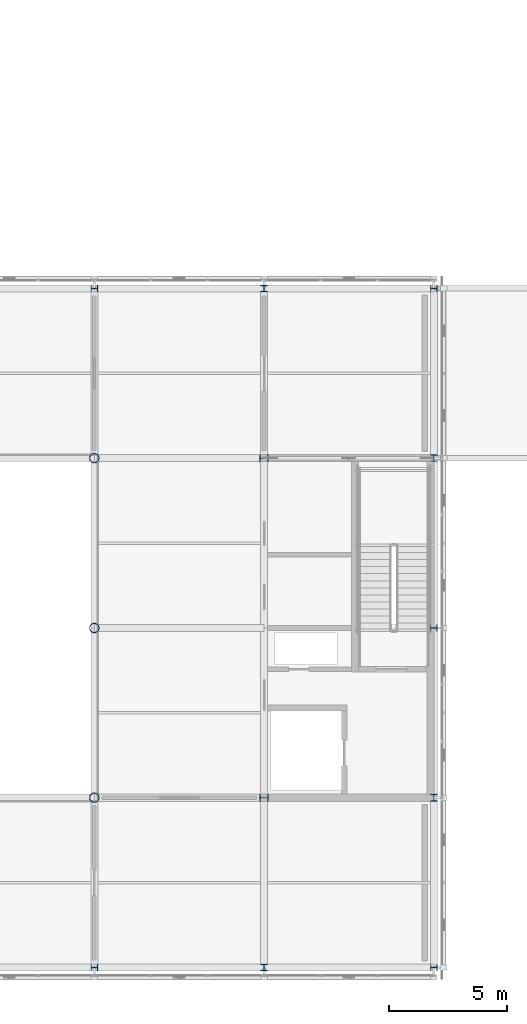
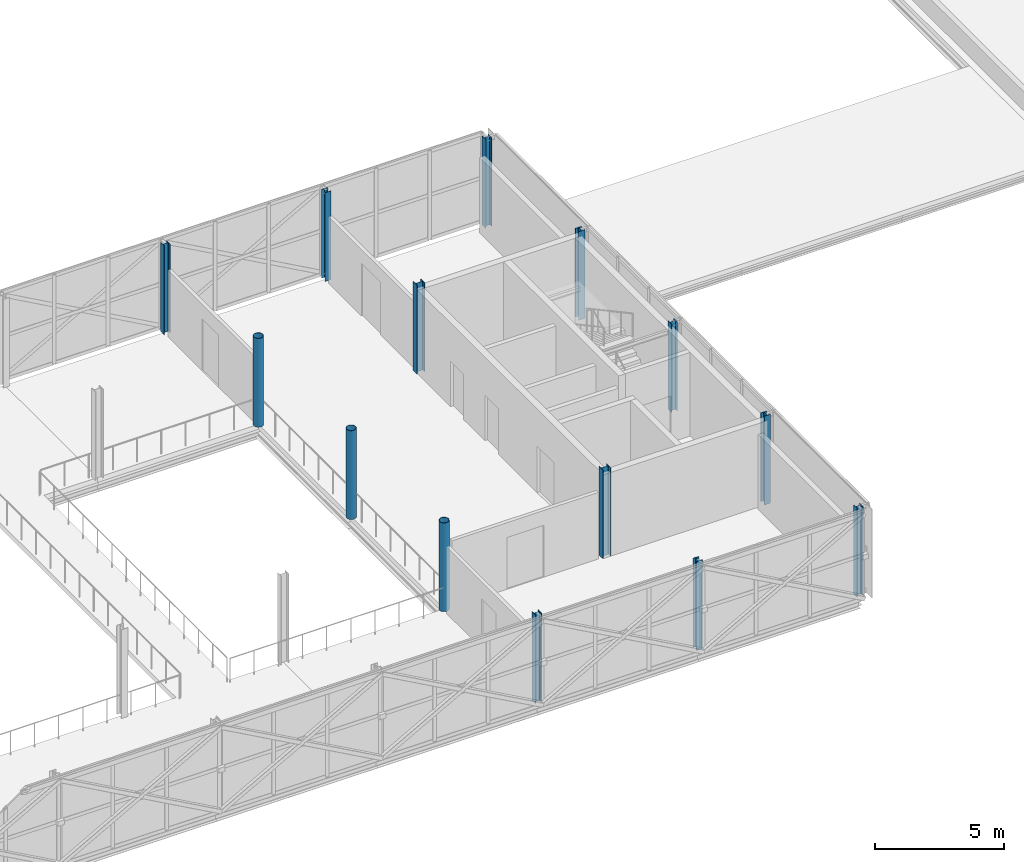
# One storey, part 5 of 103: 14 columns.
"""IFC4 building model written with IfcOpenShell, lengths in metres."""

from ifc_helpers import new_model, si_unit, direction, frame, origin, origin_2d, place, context, subcontext, project, spatial, hollow_circle, i_section, extrude, material, material_profile, profile_set, type_object, element, save


model = new_model("IFC4")

# Units and contexts
model_context = context("Model", 3, precision=1e-05, world=origin(), true_north=direction((0.0, 1.0)))
body_context = subcontext(model_context, "Body", "Model", "MODEL_VIEW")
ifc_project = project(units=[si_unit("LENGTHUNIT", "METRE"), si_unit("AREAUNIT", "SQUARE_METRE"), si_unit("VOLUMEUNIT", "CUBIC_METRE"), si_unit("PLANEANGLEUNIT", "RADIAN"), si_unit("MASSUNIT", "GRAM", prefix="KILO")], contexts=[model_context])

# Site, building, storey
site_placement = place(None, origin())
site = spatial("IfcSite", under=ifc_project, at=site_placement, CompositionType="ELEMENT")
building_placement = place(site_placement, origin())
building = spatial("IfcBuilding", under=site, at=building_placement, Name="Zlatovets Crest Museum", CompositionType="ELEMENT")
storey_placement = place(building_placement, frame((0.0, 0.0, 12.89990234375)))
storey = spatial("IfcBuildingStorey", under=building, at=storey_placement, Name="L03", CompositionType="ELEMENT", Elevation=12.89990234375)

# Columns
ifc_material = material(Name="Structural steel S355J2", Category="steel")
ifc_material_profile_1 = material_profile(ifc_material, i_section(OverallWidth=0.300048828125, OverallDepth=0.360107421875, WebThickness=0.012451171875, FlangeThickness=0.0224609375, FilletRadius=0.027099609375, at=origin_2d()), Name="HEB 360")
ifc_profile_set_1 = profile_set([ifc_material_profile_1], Name="Structural steel S355J2")
column_type_1 = type_object("IfcColumnType", Name="Col_C-08", PredefinedType="COLUMN", material=ifc_profile_set_1)
for number, where, z_axis, x_axis, name in (
    (1, (100.800048828125, 7.199951171875, 0.0), (0.0, 0.0, 1.0), (0.0, 1.0, 0.0), "V2 L03 Column (100.8, 7.2)"),
    (2, (100.800048828125, 21.60009765625, 0.0), (0.0, 0.0, 1.0), (0.0, 1.0, 0.0), "V2 L03 Column (100.8, 21.6)"),
):
    element("IfcColumn", number, at=place(storey_placement, frame(where, z_axis=z_axis, x_axis=x_axis)), inside=storey, type_object=column_type_1, Name=name, PredefinedType="COLUMN", context=body_context, shape_type="SweptSolid", body=[
        extrude(i_section(OverallWidth=0.300048828125, OverallDepth=0.360107421875, WebThickness=0.012451171875, FlangeThickness=0.0224609375, FilletRadius=0.027099609375, at=origin_2d()), origin(), (0.0, 0.0, 1.0), 4.2001953125),
    ])
ifc_material_profile_2 = material_profile(ifc_material, hollow_circle(Radius=0.203125, WallThickness=0.01611328125, at=origin_2d()), Name="CHS 406.4x16.0")
ifc_profile_set_2 = profile_set([ifc_material_profile_2], Name="Structural steel S355J2")
column_type_2 = type_object("IfcColumnType", Name="Col_C-12", PredefinedType="COLUMN", material=ifc_profile_set_2)
for number, where, z_axis, x_axis, name in (
    (3, (93.60009765625, 7.199951171875, 0.0), (0.0, 0.0, 1.0), (1.0, 0.0, 0.0), "V2 L03 Column (93.6, 7.2)"),
    (4, (93.60009765625, 14.39990234375, 0.0), (0.0, 0.0, 1.0), (0.0, 1.0, 0.0), "V2 L03 Column (93.6, 14.4)"),
    (5, (93.60009765625, 21.60009765625, 0.0), (0.0, 0.0, 1.0), (1.0, 0.0, 0.0), "V2 L03 Column (93.6, 21.6)"),
):
    element("IfcColumn", number, at=place(storey_placement, frame(where, z_axis=z_axis, x_axis=x_axis)), inside=storey, type_object=column_type_2, Name=name, PredefinedType="COLUMN", context=body_context, shape_type="SweptSolid", body=[
        extrude(hollow_circle(Radius=0.203125, WallThickness=0.01611328125, at=origin_2d()), origin(), (0.0, 0.0, 1.0), 4.2001953125),
    ])
ifc_material_profile_3 = material_profile(ifc_material, i_section(OverallWidth=0.280029296875, OverallDepth=0.280029296875, WebThickness=0.010498046875, FlangeThickness=0.01806640625, FilletRadius=0.02392578125, at=origin_2d()), Name="HEB 280")
ifc_profile_set_3 = profile_set([ifc_material_profile_3], Name="Structural steel S355J2")
column_type_3 = type_object("IfcColumnType", Name="Col_C-17", PredefinedType="COLUMN", material=ifc_profile_set_3)
for number, where, z_axis, x_axis, name in (
    (6, (93.60009765625, 0.0, 0.0), (0.0, 0.0, 1.0), (0.0, 1.0, 0.0), "V2 L03 Column (93.6, 0.0)"),
    (7, (93.60009765625, 28.800048828125, 0.0), (0.0, 0.0, 1.0), (0.0, 1.0, 0.0), "V2 L03 Column (93.6, 28.8)"),
    (8, (100.800048828125, 0.0, 0.0), (0.0, 0.0, 1.0), (1.0, 0.0, 0.0), "V2 L03 Column (100.8, 0.0)"),
    (9, (100.800048828125, 28.800048828125, 0.0), (0.0, 0.0, 1.0), (1.0, 0.0, 0.0), "V2 L03 Column (100.8, 28.8)"),
    (10, (108.0, 0.0, 0.0), (0.0, 0.0, 1.0), (0.0, 1.0, 0.0), "V2 L03 Column (108.0, 0.0)"),
    (11, (108.0, 7.199951171875, 0.0), (0.0, 0.0, 1.0), (1.0, 0.0, 0.0), "V2 L03 Column (108.0, 7.2)"),
    (12, (108.0, 14.39990234375, 0.0), (0.0, 0.0, 1.0), (0.0, 1.0, 0.0), "V2 L03 Column (108.0, 14.4)"),
    (13, (108.0, 21.60009765625, 0.0), (0.0, 0.0, 1.0), (1.0, 0.0, 0.0), "V2 L03 Column (108.0, 21.6)"),
    (14, (108.0, 28.800048828125, 0.0), (0.0, 0.0, 1.0), (0.0, 1.0, 0.0), "V2 L03 Column (108.0, 28.8)"),
):
    element("IfcColumn", number, at=place(storey_placement, frame(where, z_axis=z_axis, x_axis=x_axis)), inside=storey, type_object=column_type_3, Name=name, PredefinedType="COLUMN", context=body_context, shape_type="SweptSolid", body=[
        extrude(i_section(OverallWidth=0.280029296875, OverallDepth=0.280029296875, WebThickness=0.010498046875, FlangeThickness=0.01806640625, FilletRadius=0.02392578125, at=origin_2d()), origin(), (0.0, 0.0, 1.0), 4.2001953125),
    ])

save(model, "model.ifc")
